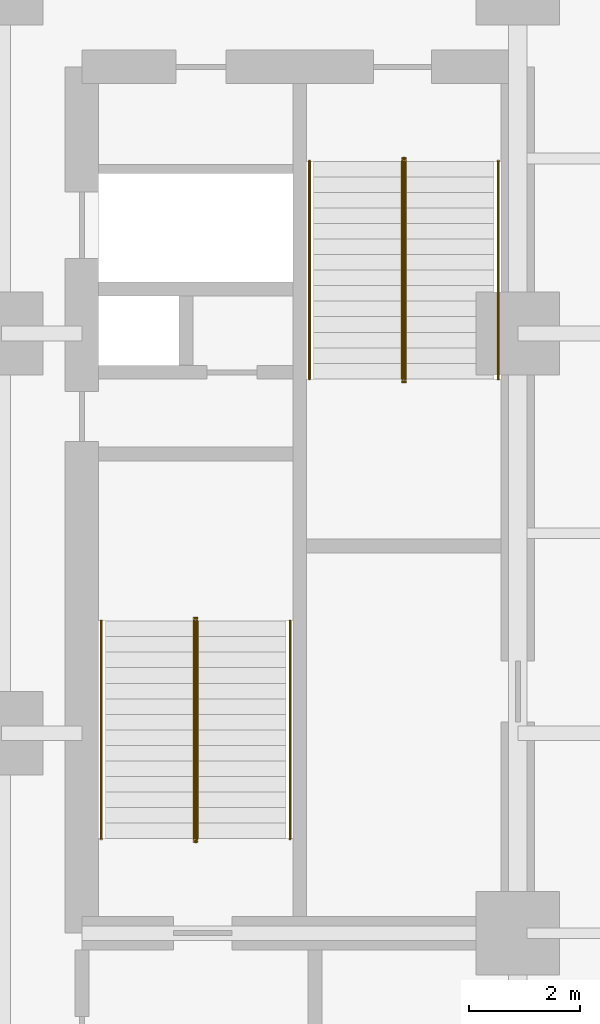
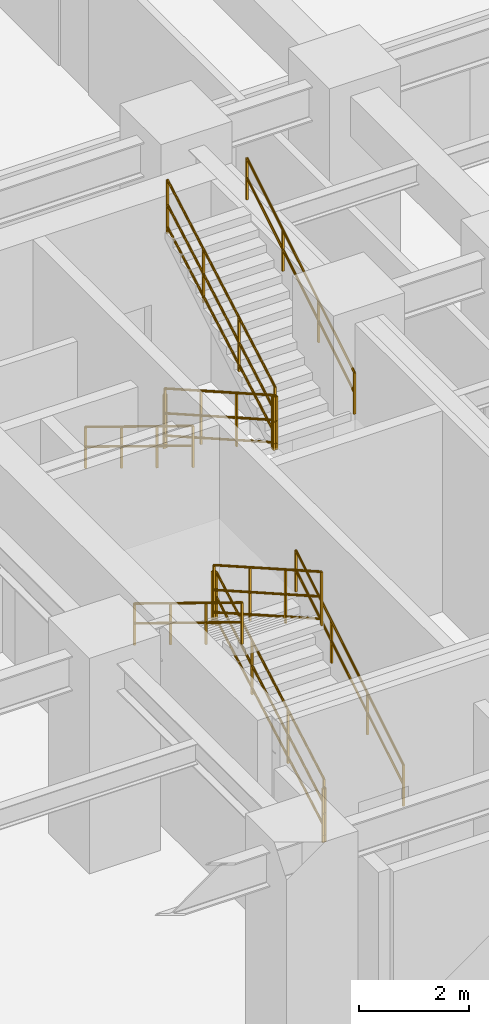
# One storey, part 8 of 9: 12 railings.
"""IFC4 building model written with IfcOpenShell, lengths in metres."""

from ifc_helpers import new_model, entity, si_unit, converted_unit, direction, frame, origin_with_axes, origin_2d_with_axis, place, context, subcontext, project, spatial, rectangle, circle, extrude, material, type_object, element, save


model = new_model("IFC4")

# Units and contexts
model_context = context("Model", 3, precision=1e-05, world=origin_with_axes(), true_north=direction((0.0, 1.0)))
body_context = subcontext(model_context, "Body", "Model", "MODEL_VIEW")
ifc_project = project(units=[si_unit("LENGTHUNIT", "METRE"), si_unit("AREAUNIT", "SQUARE_METRE"), si_unit("VOLUMEUNIT", "CUBIC_METRE"), converted_unit("PLANEANGLEUNIT", "DEGREE", entity("IfcPlaneAngleMeasure", 0.017453292519943295), si_unit("PLANEANGLEUNIT", "RADIAN"), dimensions=[0, 0, 0, 0, 0, 0, 0]), si_unit("MASSUNIT", "GRAM", prefix="KILO"), si_unit("THERMODYNAMICTEMPERATUREUNIT", "KELVIN")], contexts=[model_context])

# Site, building, storey
site_placement = place(None, origin_with_axes())
site = spatial("IfcSite", under=ifc_project, at=site_placement, CompositionType="ELEMENT")
building_placement = place(site_placement, origin_with_axes())
building = spatial("IfcBuilding", under=site, at=building_placement, Name="Varnlund Millrace Tower", CompositionType="ELEMENT")
storey_placement = place(building_placement, frame((0.0, 0.0, -4.8), z_axis=(0.0, 0.0, 1.0), x_axis=(1.0, 0.0, 0.0)))
storey = spatial("IfcBuildingStorey", under=building, at=storey_placement, Name="B1", CompositionType="ELEMENT", Elevation=-4.8)

# Railings
ifc_material_1 = material(Name="Painted steel stair well balustrade guard", Category="steel")
railing_type_1 = type_object("IfcRailingType", Name="Type-StairGuard-1150", PredefinedType="GUARDRAIL", material=ifc_material_1)
railing_1_placement = place(storey_placement, frame((0.0, 0.0, 4.8), z_axis=(0.0, 0.0, 1.0), x_axis=(1.0, 0.0, 0.0)))
element("IfcRailing", 1, at=railing_1_placement, inside=storey, type_object=railing_type_1, Name="Type-StairGuard-1150", PredefinedType="GUARDRAIL", context=body_context, shape_type="SweptSolid", body=[
    extrude(circle(Radius=0.024, at=origin_2d_with_axis()), frame((42.275, 8.9, -3.478571), z_axis=(0.0, 0.869333, 0.494227), x_axis=(-1.0, 0.0, 0.0)), (0.0, 0.0, 1.0), 4.509205),
    extrude(circle(Radius=0.024, at=origin_2d_with_axis()), frame((42.275, 8.9, -4.528571), z_axis=(0.0, 0.869333, 0.494227), x_axis=(-1.0, 0.0, 0.0)), (0.0, 0.0, 1.0), 4.509205),
    extrude(circle(Radius=0.024, at=origin_2d_with_axis()), frame((42.275, 8.9, -4.030571), z_axis=(0.0, 0.869333, 0.494227), x_axis=(-1.0, 0.0, 0.0)), (0.0, 0.0, 1.0), 4.509205),
    extrude(rectangle(XDim=0.04, YDim=0.04, at=origin_2d_with_axis()), frame((42.275, 8.9, -4.668571), z_axis=(0.0, 0.0, 1.0), x_axis=(1.0, 0.0, 0.0)), (0.0, 0.0, 1.0), 1.19),
    extrude(rectangle(XDim=0.04, YDim=0.04, at=origin_2d_with_axis()), frame((42.275, 10.206667, -3.925714), z_axis=(0.0, 0.0, 1.0), x_axis=(1.0, 0.0, 0.0)), (0.0, 0.0, 1.0), 1.19),
    extrude(rectangle(XDim=0.04, YDim=0.04, at=origin_2d_with_axis()), frame((42.275, 11.513333, -3.182857), z_axis=(0.0, 0.0, 1.0), x_axis=(1.0, 0.0, 0.0)), (0.0, 0.0, 1.0), 1.19),
    extrude(rectangle(XDim=0.04, YDim=0.04, at=origin_2d_with_axis()), frame((42.275, 12.82, -2.44), z_axis=(0.0, 0.0, 1.0), x_axis=(1.0, 0.0, 0.0)), (0.0, 0.0, 1.0), 1.19),
])
railing_2_placement = place(storey_placement, frame((0.0, 0.0, 4.8), z_axis=(0.0, 0.0, 1.0), x_axis=(1.0, 0.0, 0.0)))
element("IfcRailing", 2, at=railing_2_placement, inside=storey, type_object=railing_type_1, Name="Type-StairGuard-1150", PredefinedType="GUARDRAIL", context=body_context, shape_type="SweptSolid", body=[
    extrude(circle(Radius=0.024, at=origin_2d_with_axis()), frame((42.225, 12.87, -1.25), z_axis=(1.0, 0.0, 0.0), x_axis=(0.0, 1.0, 0.0)), (0.0, 0.0, 1.0), 0.05),
    extrude(circle(Radius=0.024, at=origin_2d_with_axis()), frame((42.225, 12.87, -2.3), z_axis=(1.0, 0.0, 0.0), x_axis=(0.0, 1.0, 0.0)), (0.0, 0.0, 1.0), 0.05),
    extrude(circle(Radius=0.024, at=origin_2d_with_axis()), frame((42.225, 12.87, -1.802), z_axis=(1.0, 0.0, 0.0), x_axis=(0.0, 1.0, 0.0)), (0.0, 0.0, 1.0), 0.05),
    extrude(rectangle(XDim=0.04, YDim=0.04, at=origin_2d_with_axis()), frame((42.225, 12.87, -2.44), z_axis=(0.0, 0.0, 1.0), x_axis=(1.0, 0.0, 0.0)), (0.0, 0.0, 1.0), 1.19),
    extrude(rectangle(XDim=0.04, YDim=0.04, at=origin_2d_with_axis()), frame((42.275, 12.87, -2.44), z_axis=(0.0, 0.0, 1.0), x_axis=(1.0, 0.0, 0.0)), (0.0, 0.0, 1.0), 1.19),
])
railing_3_placement = place(storey_placement, frame((0.0, 0.0, 4.8), z_axis=(0.0, 0.0, 1.0), x_axis=(1.0, 0.0, 0.0)))
element("IfcRailing", 3, at=railing_3_placement, inside=storey, type_object=railing_type_1, Name="Type-StairGuard-1150", PredefinedType="GUARDRAIL", context=body_context, shape_type="SweptSolid", body=[
    extrude(circle(Radius=0.024, at=origin_2d_with_axis()), frame((42.225, 12.82, -1.078571), z_axis=(0.0, -0.869333, 0.494227), x_axis=(1.0, 0.0, 0.0)), (0.0, 0.0, 1.0), 4.509205),
    extrude(circle(Radius=0.024, at=origin_2d_with_axis()), frame((42.225, 12.82, -2.128571), z_axis=(0.0, -0.869333, 0.494227), x_axis=(1.0, 0.0, 0.0)), (0.0, 0.0, 1.0), 4.509205),
    extrude(circle(Radius=0.024, at=origin_2d_with_axis()), frame((42.225, 12.82, -1.630571), z_axis=(0.0, -0.869333, 0.494227), x_axis=(1.0, 0.0, 0.0)), (0.0, 0.0, 1.0), 4.509205),
    extrude(rectangle(XDim=0.04, YDim=0.04, at=origin_2d_with_axis()), frame((42.225, 12.82, -2.268571), z_axis=(0.0, 0.0, 1.0), x_axis=(1.0, 0.0, 0.0)), (0.0, 0.0, 1.0), 1.19),
    extrude(rectangle(XDim=0.04, YDim=0.04, at=origin_2d_with_axis()), frame((42.225, 11.513333, -1.525714), z_axis=(0.0, 0.0, 1.0), x_axis=(1.0, 0.0, 0.0)), (0.0, 0.0, 1.0), 1.19),
    extrude(rectangle(XDim=0.04, YDim=0.04, at=origin_2d_with_axis()), frame((42.225, 10.206667, -0.782857), z_axis=(0.0, 0.0, 1.0), x_axis=(1.0, 0.0, 0.0)), (0.0, 0.0, 1.0), 1.19),
    extrude(rectangle(XDim=0.04, YDim=0.04, at=origin_2d_with_axis()), frame((42.225, 8.9, -0.04), z_axis=(0.0, 0.0, 1.0), x_axis=(1.0, 0.0, 0.0)), (0.0, 0.0, 1.0), 1.19),
])
railing_4_placement = place(storey_placement, frame((0.0, 0.0, 4.8), z_axis=(0.0, 0.0, 1.0), x_axis=(1.0, 0.0, 0.0)))
element("IfcRailing", 4, at=railing_4_placement, inside=storey, type_object=railing_type_1, Name="Type-StairGuard-1150", PredefinedType="GUARDRAIL", context=body_context, shape_type="SweptSolid", body=[
    extrude(circle(Radius=0.024, at=origin_2d_with_axis()), frame((42.225, 8.85, -3.65), z_axis=(1.0, 0.0, 0.0), x_axis=(0.0, 1.0, 0.0)), (0.0, 0.0, 1.0), 0.05),
    extrude(circle(Radius=0.024, at=origin_2d_with_axis()), frame((42.225, 8.85, -4.7), z_axis=(1.0, 0.0, 0.0), x_axis=(0.0, 1.0, 0.0)), (0.0, 0.0, 1.0), 0.05),
    extrude(circle(Radius=0.024, at=origin_2d_with_axis()), frame((42.225, 8.85, -4.202), z_axis=(1.0, 0.0, 0.0), x_axis=(0.0, 1.0, 0.0)), (0.0, 0.0, 1.0), 0.05),
    extrude(rectangle(XDim=0.04, YDim=0.04, at=origin_2d_with_axis()), frame((42.225, 8.85, -4.84), z_axis=(0.0, 0.0, 1.0), x_axis=(1.0, 0.0, 0.0)), (0.0, 0.0, 1.0), 1.19),
    extrude(rectangle(XDim=0.04, YDim=0.04, at=origin_2d_with_axis()), frame((42.275, 8.85, -4.84), z_axis=(0.0, 0.0, 1.0), x_axis=(1.0, 0.0, 0.0)), (0.0, 0.0, 1.0), 1.19),
])
railing_5_placement = place(storey_placement, frame((0.0, 0.0, 4.8), z_axis=(0.0, 0.0, 1.0), x_axis=(1.0, 0.0, 0.0)))
element("IfcRailing", 5, at=railing_5_placement, inside=storey, type_object=railing_type_1, Name="Type-StairGuard-1150", PredefinedType="GUARDRAIL", context=body_context, shape_type="SweptSolid", body=[
    extrude(circle(Radius=0.024, at=origin_2d_with_axis()), frame((45.975, 21.1, -3.478571), z_axis=(0.0, -0.869333, 0.494227), x_axis=(1.0, 0.0, 0.0)), (0.0, 0.0, 1.0), 4.509205),
    extrude(circle(Radius=0.024, at=origin_2d_with_axis()), frame((45.975, 21.1, -4.528571), z_axis=(0.0, -0.869333, 0.494227), x_axis=(1.0, 0.0, 0.0)), (0.0, 0.0, 1.0), 4.509205),
    extrude(circle(Radius=0.024, at=origin_2d_with_axis()), frame((45.975, 21.1, -4.030571), z_axis=(0.0, -0.869333, 0.494227), x_axis=(1.0, 0.0, 0.0)), (0.0, 0.0, 1.0), 4.509205),
    extrude(rectangle(XDim=0.04, YDim=0.04, at=origin_2d_with_axis()), frame((45.975, 21.1, -4.668571), z_axis=(0.0, 0.0, 1.0), x_axis=(1.0, 0.0, 0.0)), (0.0, 0.0, 1.0), 1.19),
    extrude(rectangle(XDim=0.04, YDim=0.04, at=origin_2d_with_axis()), frame((45.975, 19.793333, -3.925714), z_axis=(0.0, 0.0, 1.0), x_axis=(1.0, 0.0, 0.0)), (0.0, 0.0, 1.0), 1.19),
    extrude(rectangle(XDim=0.04, YDim=0.04, at=origin_2d_with_axis()), frame((45.975, 18.486667, -3.182857), z_axis=(0.0, 0.0, 1.0), x_axis=(1.0, 0.0, 0.0)), (0.0, 0.0, 1.0), 1.19),
    extrude(rectangle(XDim=0.04, YDim=0.04, at=origin_2d_with_axis()), frame((45.975, 17.18, -2.44), z_axis=(0.0, 0.0, 1.0), x_axis=(1.0, 0.0, 0.0)), (0.0, 0.0, 1.0), 1.19),
])
railing_6_placement = place(storey_placement, frame((0.0, 0.0, 4.8), z_axis=(0.0, 0.0, 1.0), x_axis=(1.0, 0.0, 0.0)))
element("IfcRailing", 6, at=railing_6_placement, inside=storey, type_object=railing_type_1, Name="Type-StairGuard-1150", PredefinedType="GUARDRAIL", context=body_context, shape_type="SweptSolid", body=[
    extrude(circle(Radius=0.024, at=origin_2d_with_axis()), frame((46.025, 17.13, -1.25), z_axis=(-1.0, 0.0, 0.0), x_axis=(0.0, -1.0, 0.0)), (0.0, 0.0, 1.0), 0.05),
    extrude(circle(Radius=0.024, at=origin_2d_with_axis()), frame((46.025, 17.13, -2.3), z_axis=(-1.0, 0.0, 0.0), x_axis=(0.0, -1.0, 0.0)), (0.0, 0.0, 1.0), 0.05),
    extrude(circle(Radius=0.024, at=origin_2d_with_axis()), frame((46.025, 17.13, -1.802), z_axis=(-1.0, 0.0, 0.0), x_axis=(0.0, -1.0, 0.0)), (0.0, 0.0, 1.0), 0.05),
    extrude(rectangle(XDim=0.04, YDim=0.04, at=origin_2d_with_axis()), frame((46.025, 17.13, -2.44), z_axis=(0.0, 0.0, 1.0), x_axis=(1.0, 0.0, 0.0)), (0.0, 0.0, 1.0), 1.19),
    extrude(rectangle(XDim=0.04, YDim=0.04, at=origin_2d_with_axis()), frame((45.975, 17.13, -2.44), z_axis=(0.0, 0.0, 1.0), x_axis=(1.0, 0.0, 0.0)), (0.0, 0.0, 1.0), 1.19),
])
railing_7_placement = place(storey_placement, frame((0.0, 0.0, 4.8), z_axis=(0.0, 0.0, 1.0), x_axis=(1.0, 0.0, 0.0)))
element("IfcRailing", 7, at=railing_7_placement, inside=storey, type_object=railing_type_1, Name="Type-StairGuard-1150", PredefinedType="GUARDRAIL", context=body_context, shape_type="SweptSolid", body=[
    extrude(circle(Radius=0.024, at=origin_2d_with_axis()), frame((46.025, 17.18, -1.078571), z_axis=(0.0, 0.869333, 0.494227), x_axis=(-1.0, 0.0, 0.0)), (0.0, 0.0, 1.0), 4.509205),
    extrude(circle(Radius=0.024, at=origin_2d_with_axis()), frame((46.025, 17.18, -2.128571), z_axis=(0.0, 0.869333, 0.494227), x_axis=(-1.0, 0.0, 0.0)), (0.0, 0.0, 1.0), 4.509205),
    extrude(circle(Radius=0.024, at=origin_2d_with_axis()), frame((46.025, 17.18, -1.630571), z_axis=(0.0, 0.869333, 0.494227), x_axis=(-1.0, 0.0, 0.0)), (0.0, 0.0, 1.0), 4.509205),
    extrude(rectangle(XDim=0.04, YDim=0.04, at=origin_2d_with_axis()), frame((46.025, 17.18, -2.268571), z_axis=(0.0, 0.0, 1.0), x_axis=(1.0, 0.0, 0.0)), (0.0, 0.0, 1.0), 1.19),
    extrude(rectangle(XDim=0.04, YDim=0.04, at=origin_2d_with_axis()), frame((46.025, 18.486667, -1.525714), z_axis=(0.0, 0.0, 1.0), x_axis=(1.0, 0.0, 0.0)), (0.0, 0.0, 1.0), 1.19),
    extrude(rectangle(XDim=0.04, YDim=0.04, at=origin_2d_with_axis()), frame((46.025, 19.793333, -0.782857), z_axis=(0.0, 0.0, 1.0), x_axis=(1.0, 0.0, 0.0)), (0.0, 0.0, 1.0), 1.19),
    extrude(rectangle(XDim=0.04, YDim=0.04, at=origin_2d_with_axis()), frame((46.025, 21.1, -0.04), z_axis=(0.0, 0.0, 1.0), x_axis=(1.0, 0.0, 0.0)), (0.0, 0.0, 1.0), 1.19),
])
railing_8_placement = place(storey_placement, frame((0.0, 0.0, 4.8), z_axis=(0.0, 0.0, 1.0), x_axis=(1.0, 0.0, 0.0)))
element("IfcRailing", 8, at=railing_8_placement, inside=storey, type_object=railing_type_1, Name="Type-StairGuard-1150", PredefinedType="GUARDRAIL", context=body_context, shape_type="SweptSolid", body=[
    extrude(circle(Radius=0.024, at=origin_2d_with_axis()), frame((46.025, 21.15, -3.65), z_axis=(-1.0, 0.0, 0.0), x_axis=(0.0, -1.0, 0.0)), (0.0, 0.0, 1.0), 0.05),
    extrude(circle(Radius=0.024, at=origin_2d_with_axis()), frame((46.025, 21.15, -4.7), z_axis=(-1.0, 0.0, 0.0), x_axis=(0.0, -1.0, 0.0)), (0.0, 0.0, 1.0), 0.05),
    extrude(circle(Radius=0.024, at=origin_2d_with_axis()), frame((46.025, 21.15, -4.202), z_axis=(-1.0, 0.0, 0.0), x_axis=(0.0, -1.0, 0.0)), (0.0, 0.0, 1.0), 0.05),
    extrude(rectangle(XDim=0.04, YDim=0.04, at=origin_2d_with_axis()), frame((46.025, 21.15, -4.84), z_axis=(0.0, 0.0, 1.0), x_axis=(1.0, 0.0, 0.0)), (0.0, 0.0, 1.0), 1.19),
    extrude(rectangle(XDim=0.04, YDim=0.04, at=origin_2d_with_axis()), frame((45.975, 21.15, -4.84), z_axis=(0.0, 0.0, 1.0), x_axis=(1.0, 0.0, 0.0)), (0.0, 0.0, 1.0), 1.19),
])
ifc_material_2 = material(Name="Brushed architectural bronze stair handrail", Category="aluminium")
railing_type_2 = type_object("IfcRailingType", Name="Type-StairHandrail-900", PredefinedType="HANDRAIL", material=ifc_material_2)
railing_9_placement = place(storey_placement, frame((0.0, 0.0, 4.8), z_axis=(0.0, 0.0, 1.0), x_axis=(1.0, 0.0, 0.0)))
element("IfcRailing", 9, at=railing_9_placement, inside=storey, type_object=railing_type_2, Name="Type-StairHandrail-900", PredefinedType="HANDRAIL", context=body_context, shape_type="SweptSolid", body=[
    extrude(circle(Radius=0.024, at=origin_2d_with_axis()), frame((43.95, 8.9, -3.749039), z_axis=(0.0, 0.852851, 0.522154), x_axis=(-1.0, 0.0, 0.0)), (0.0, 0.0, 1.0), 4.596346),
    extrude(circle(Radius=0.024, at=origin_2d_with_axis()), frame((43.95, 8.9, -4.188805), z_axis=(0.0, 0.852851, 0.522154), x_axis=(-1.0, 0.0, 0.0)), (0.0, 0.0, 1.0), 4.596346),
    extrude(rectangle(XDim=0.04, YDim=0.04, at=origin_2d_with_axis()), frame((43.95, 8.9, -4.668571), z_axis=(0.0, 0.0, 1.0), x_axis=(1.0, 0.0, 0.0)), (0.0, 0.0, 1.0), 0.919532),
    extrude(rectangle(XDim=0.04, YDim=0.04, at=origin_2d_with_axis()), frame((43.95, 10.206667, -3.868571), z_axis=(0.0, 0.0, 1.0), x_axis=(1.0, 0.0, 0.0)), (0.0, 0.0, 1.0), 0.919532),
    extrude(rectangle(XDim=0.04, YDim=0.04, at=origin_2d_with_axis()), frame((43.95, 11.513333, -3.068571), z_axis=(0.0, 0.0, 1.0), x_axis=(1.0, 0.0, 0.0)), (0.0, 0.0, 1.0), 0.919532),
    extrude(rectangle(XDim=0.04, YDim=0.04, at=origin_2d_with_axis()), frame((43.95, 12.82, -2.268571), z_axis=(0.0, 0.0, 1.0), x_axis=(1.0, 0.0, 0.0)), (0.0, 0.0, 1.0), 0.919532),
])
railing_10_placement = place(storey_placement, frame((0.0, 0.0, 4.8), z_axis=(0.0, 0.0, 1.0), x_axis=(1.0, 0.0, 0.0)))
element("IfcRailing", 10, at=railing_10_placement, inside=storey, type_object=railing_type_2, Name="Type-StairHandrail-900", PredefinedType="HANDRAIL", context=body_context, shape_type="SweptSolid", body=[
    extrude(circle(Radius=0.024, at=origin_2d_with_axis()), frame((40.55, 12.82, -1.349039), z_axis=(0.0, -0.852851, 0.522154), x_axis=(1.0, 0.0, 0.0)), (0.0, 0.0, 1.0), 4.596346),
    extrude(circle(Radius=0.024, at=origin_2d_with_axis()), frame((40.55, 12.82, -1.788805), z_axis=(0.0, -0.852851, 0.522154), x_axis=(1.0, 0.0, 0.0)), (0.0, 0.0, 1.0), 4.596346),
    extrude(rectangle(XDim=0.04, YDim=0.04, at=origin_2d_with_axis()), frame((40.55, 12.82, -2.268571), z_axis=(0.0, 0.0, 1.0), x_axis=(1.0, 0.0, 0.0)), (0.0, 0.0, 1.0), 0.919532),
    extrude(rectangle(XDim=0.04, YDim=0.04, at=origin_2d_with_axis()), frame((40.55, 11.513333, -1.468571), z_axis=(0.0, 0.0, 1.0), x_axis=(1.0, 0.0, 0.0)), (0.0, 0.0, 1.0), 0.919532),
    extrude(rectangle(XDim=0.04, YDim=0.04, at=origin_2d_with_axis()), frame((40.55, 10.206667, -0.668571), z_axis=(0.0, 0.0, 1.0), x_axis=(1.0, 0.0, 0.0)), (0.0, 0.0, 1.0), 0.919532),
    extrude(rectangle(XDim=0.04, YDim=0.04, at=origin_2d_with_axis()), frame((40.55, 8.9, 0.131429), z_axis=(0.0, 0.0, 1.0), x_axis=(1.0, 0.0, 0.0)), (0.0, 0.0, 1.0), 0.919532),
])
railing_11_placement = place(storey_placement, frame((0.0, 0.0, 4.8), z_axis=(0.0, 0.0, 1.0), x_axis=(1.0, 0.0, 0.0)))
element("IfcRailing", 11, at=railing_11_placement, inside=storey, type_object=railing_type_2, Name="Type-StairHandrail-900", PredefinedType="HANDRAIL", context=body_context, shape_type="SweptSolid", body=[
    extrude(circle(Radius=0.024, at=origin_2d_with_axis()), frame((44.3, 21.1, -3.749039), z_axis=(0.0, -0.852851, 0.522154), x_axis=(1.0, 0.0, 0.0)), (0.0, 0.0, 1.0), 4.596346),
    extrude(circle(Radius=0.024, at=origin_2d_with_axis()), frame((44.3, 21.1, -4.188805), z_axis=(0.0, -0.852851, 0.522154), x_axis=(1.0, 0.0, 0.0)), (0.0, 0.0, 1.0), 4.596346),
    extrude(rectangle(XDim=0.04, YDim=0.04, at=origin_2d_with_axis()), frame((44.3, 21.1, -4.668571), z_axis=(0.0, 0.0, 1.0), x_axis=(1.0, 0.0, 0.0)), (0.0, 0.0, 1.0), 0.919532),
    extrude(rectangle(XDim=0.04, YDim=0.04, at=origin_2d_with_axis()), frame((44.3, 19.793333, -3.868571), z_axis=(0.0, 0.0, 1.0), x_axis=(1.0, 0.0, 0.0)), (0.0, 0.0, 1.0), 0.919532),
    extrude(rectangle(XDim=0.04, YDim=0.04, at=origin_2d_with_axis()), frame((44.3, 18.486667, -3.068571), z_axis=(0.0, 0.0, 1.0), x_axis=(1.0, 0.0, 0.0)), (0.0, 0.0, 1.0), 0.919532),
    extrude(rectangle(XDim=0.04, YDim=0.04, at=origin_2d_with_axis()), frame((44.3, 17.18, -2.268571), z_axis=(0.0, 0.0, 1.0), x_axis=(1.0, 0.0, 0.0)), (0.0, 0.0, 1.0), 0.919532),
])
railing_12_placement = place(storey_placement, frame((0.0, 0.0, 4.8), z_axis=(0.0, 0.0, 1.0), x_axis=(1.0, 0.0, 0.0)))
element("IfcRailing", 12, at=railing_12_placement, inside=storey, type_object=railing_type_2, Name="Type-StairHandrail-900", PredefinedType="HANDRAIL", context=body_context, shape_type="SweptSolid", body=[
    extrude(circle(Radius=0.024, at=origin_2d_with_axis()), frame((47.7, 17.18, -1.349039), z_axis=(0.0, 0.852851, 0.522154), x_axis=(-1.0, 0.0, 0.0)), (0.0, 0.0, 1.0), 4.596346),
    extrude(circle(Radius=0.024, at=origin_2d_with_axis()), frame((47.7, 17.18, -1.788805), z_axis=(0.0, 0.852851, 0.522154), x_axis=(-1.0, 0.0, 0.0)), (0.0, 0.0, 1.0), 4.596346),
    extrude(rectangle(XDim=0.04, YDim=0.04, at=origin_2d_with_axis()), frame((47.7, 17.18, -2.268571), z_axis=(0.0, 0.0, 1.0), x_axis=(1.0, 0.0, 0.0)), (0.0, 0.0, 1.0), 0.919532),
    extrude(rectangle(XDim=0.04, YDim=0.04, at=origin_2d_with_axis()), frame((47.7, 18.486667, -1.468571), z_axis=(0.0, 0.0, 1.0), x_axis=(1.0, 0.0, 0.0)), (0.0, 0.0, 1.0), 0.919532),
    extrude(rectangle(XDim=0.04, YDim=0.04, at=origin_2d_with_axis()), frame((47.7, 19.793333, -0.668571), z_axis=(0.0, 0.0, 1.0), x_axis=(1.0, 0.0, 0.0)), (0.0, 0.0, 1.0), 0.919532),
    extrude(rectangle(XDim=0.04, YDim=0.04, at=origin_2d_with_axis()), frame((47.7, 21.1, 0.131429), z_axis=(0.0, 0.0, 1.0), x_axis=(1.0, 0.0, 0.0)), (0.0, 0.0, 1.0), 0.919532),
])

save(model, "model.ifc")
